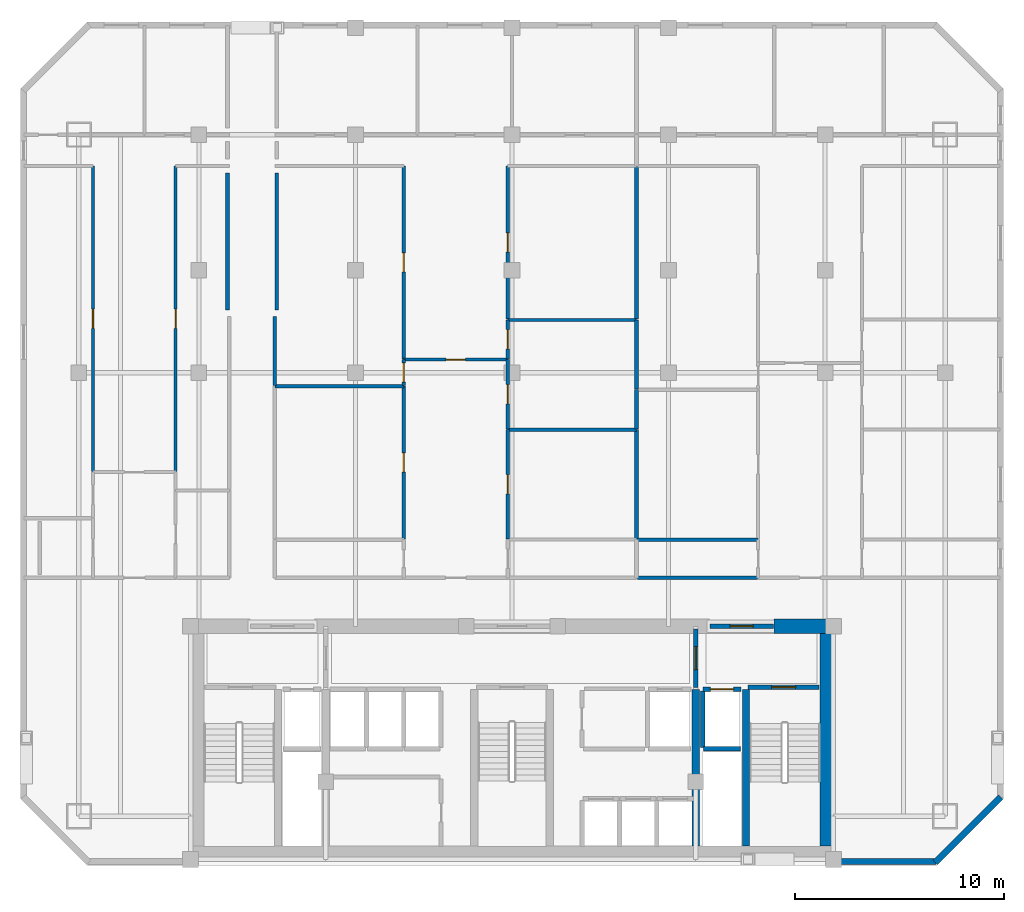
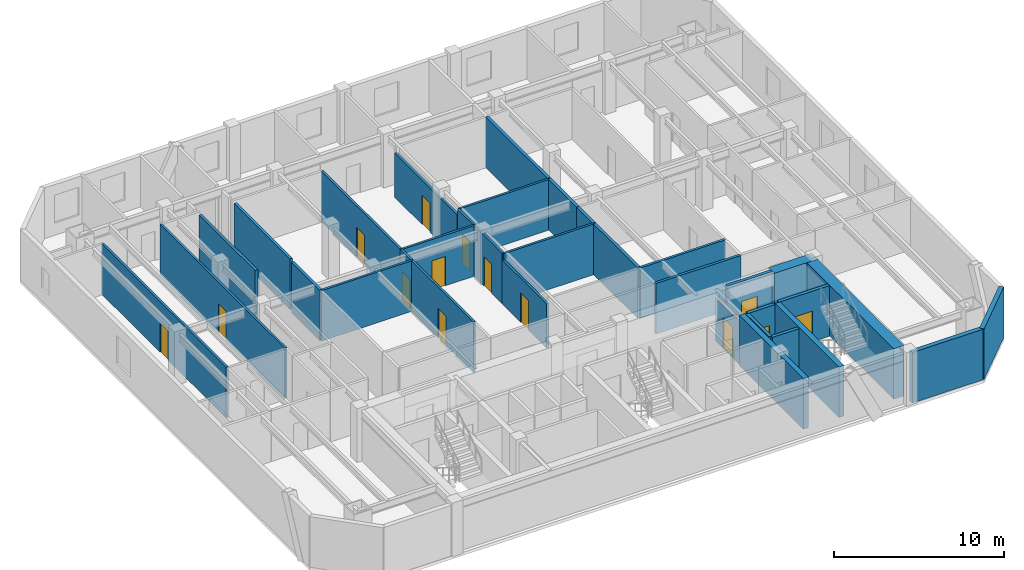
# One storey, part 4 of 8: 34 walls, 14 doors, 14 openings.
"""IFC4 building model written with IfcOpenShell, lengths in metres."""

from ifc_helpers import new_model, si_unit, direction, frame, frame_2d, origin, place, context, subcontext, project, spatial, rectangle, extrude, material, layer, layer_set, type_object, element, fill, save


model = new_model("IFC4")

# Units and contexts
model_context = context("Model", 3, precision=1e-05, world=origin(), true_north=direction((0.0, 1.0)))
body_context = subcontext(model_context, "Body", "Model", "MODEL_VIEW")
ifc_project = project(units=[si_unit("LENGTHUNIT", "METRE"), si_unit("AREAUNIT", "SQUARE_METRE"), si_unit("VOLUMEUNIT", "CUBIC_METRE"), si_unit("PLANEANGLEUNIT", "RADIAN"), si_unit("MASSUNIT", "GRAM", prefix="KILO")], contexts=[model_context])

# Site, building, storey
site_placement = place(None, origin())
site = spatial("IfcSite", under=ifc_project, at=site_placement, CompositionType="ELEMENT")
building_placement = place(site_placement, origin())
building = spatial("IfcBuilding", under=site, at=building_placement, Name="Ventersveld Concourse Tower", CompositionType="ELEMENT")
storey_placement = place(building_placement, frame((0.0, 0.0, 160.60009765625)))
storey = spatial("IfcBuildingStorey", under=building, at=storey_placement, Name="L39", CompositionType="ELEMENT", Elevation=160.60009765625)

# Walls
ifc_material_1 = material(Name="Concrete C60/75", Category="concrete")
ifc_layer_1 = layer(ifc_material_1, 0.35009765625)
ifc_layer_set_1 = layer_set([ifc_layer_1], Name="Concrete C60/75")
wall_type_1 = type_object("IfcWallType", Name="WL-CORE-350L", PredefinedType="SHEAR", material=ifc_layer_set_1)
for number, where, z_axis, x_axis, name in (
    (1, (37.550048828125, 0.919921875, 0.0), (0.0, 0.0, 1.0), (0.0, 1.0, 0.0), "L39 Core Internal Shear Web W-SVL-W"),
    (2, (39.9599609375, 0.919921875, 0.0), (0.0, 0.0, 1.0), (0.0, 1.0, 0.0), "L39 Core Internal Shear Web W-ST2-W"),
):
    element("IfcWall", number, at=place(storey_placement, frame(where, z_axis=z_axis, x_axis=x_axis)), inside=storey, type_object=wall_type_1, Name=name, PredefinedType="SHEAR", context=body_context, shape_type="SweptSolid", body=[
        extrude(rectangle(XDim=7.5, YDim=0.35009765625, at=frame_2d((3.75, 0.0))), origin(), (0.0, 0.0, 1.0), 3.6298828125),
    ])
ifc_layer_2 = layer(ifc_material_1, 0.699951171875)
ifc_layer_set_2 = layer_set([ifc_layer_2], Name="Concrete C60/75")
wall_type_2 = type_object("IfcWallType", Name="WL-CORE-700", PredefinedType="SHEAR", material=ifc_layer_set_2)
wall_1_placement = place(storey_placement, frame((43.85009765625, 0.919921875, 0.0), z_axis=(0.0, 0.0, 1.0), x_axis=(0.0, 1.0, 0.0)))
element("IfcWall", 3, at=wall_1_placement, inside=storey, type_object=wall_type_2, Name="L39 Rear Core East Shear Wall", PredefinedType="SHEAR", context=body_context, shape_type="SweptSolid", body=[
    extrude(rectangle(XDim=10.530029296875, YDim=0.699951171875, at=frame_2d((5.26513671875, 0.0))), origin(), (0.0, 0.0, 1.0), 3.6298828125),
])
wall_2_placement = place(storey_placement, frame((41.300048828125, 11.449951171875, 0.0), z_axis=(0.0, 0.0, 1.0), x_axis=(1.0, 0.0, 0.0)))
element("IfcWall", 4, at=wall_2_placement, inside=storey, type_object=wall_type_2, Name="L39 Rear Core North Shear Wall NE", PredefinedType="SHEAR", context=body_context, shape_type="SweptSolid", body=[
    extrude(rectangle(XDim=2.949951171875, YDim=0.699951171875, at=frame_2d((1.47509765625, 0.0))), origin(), (0.0, 0.0, 1.0), 3.6298828125),
])
ifc_material_2 = material(Name="Fire-rated autoclaved aerated masonry blockwork", Category="masonry")
ifc_layer_3 = layer(ifc_material_2, 0.179931640625)
ifc_layer_set_3 = layer_set([ifc_layer_3], Name="Fire-rated autoclaved aerated masonry blockwork")
wall_type_3 = type_object("IfcWallType", Name="WL-CORR-180", PredefinedType="PARTITIONING", material=ifc_layer_set_3)
wall_3_placement = place(storey_placement, frame((17.389892578125, 22.984619140625, 0.0), z_axis=(0.0, 0.0, 1.0), x_axis=(0.0, 1.0, 0.0)))
element("IfcWall", 5, at=wall_3_placement, inside=storey, type_object=wall_type_3, Name="L39 Interior Partition SP-L39-COR-SP-L39-39N1-DENL2", PredefinedType="PARTITIONING", context=body_context, shape_type="SweptSolid", body=[
    extrude(rectangle(XDim=3.310302734375, YDim=0.179931640625, at=frame_2d((1.6552734375, 0.0))), origin(), (0.0, 0.0, 1.0), 3.6298828125),
])
wall_4_placement = place(storey_placement, frame((34.7548828125, 13.77001953125, 0.0), z_axis=(0.0, 0.0, 1.0), x_axis=(1.0, 0.0, 0.0)))
element("IfcWall", 6, at=wall_4_placement, inside=storey, type_object=wall_type_3, Name="L39 Interior Partition SP-L39-COR-SP-L39-39N2-BATH", PredefinedType="PARTITIONING", context=body_context, shape_type="SweptSolid", body=[
    extrude(rectangle(XDim=5.746337890625, YDim=0.179931640625, at=frame_2d((2.873046875, 0.0))), origin(), (0.0, 0.0, 1.0), 3.6298828125),
])
for number, where, z_axis, x_axis, name in (
    (7, (15.1201171875, 33.175048828125, 0.0), (0.0, 0.0, 1.0), (0.0, -1.0, 0.0), "L39 Room Enclosure Wall SP-L39-39NW-DENR"),
    (8, (17.47998046875, 26.60986328125, 0.0), (0.0, 0.0, 1.0), (0.0, 1.0, 0.0), "L39 Room Enclosure Wall SP-L39-39N1-DENL2"),
):
    element("IfcWall", number, at=place(storey_placement, frame(where, z_axis=z_axis, x_axis=x_axis)), inside=storey, type_object=wall_type_3, Name=name, PredefinedType="PARTITIONING", context=body_context, shape_type="SweptSolid", body=[
        extrude(rectangle(XDim=6.565185546875, YDim=0.179931640625, at=frame_2d((3.28271484375, 0.0))), origin(), (0.0, 0.0, 1.0), 3.6298828125),
    ])
ifc_layer_4 = layer(ifc_material_2, 0.199951171875)
ifc_layer_set_4 = layer_set([ifc_layer_4], Name="Fire-rated autoclaved aerated masonry blockwork")
wall_type_4 = type_object("IfcWallType", Name="WL-DEMISE-200", PredefinedType="PARTITIONING", material=ifc_layer_set_4)
wall_5_placement = place(storey_placement, frame((34.719970703125, 15.635009765625, 0.0), z_axis=(0.0, 0.0, 1.0), x_axis=(0.0, 1.0, 0.0)))
element("IfcWall", 9, at=wall_5_placement, inside=storey, type_object=wall_type_4, Name="L39 Interior Partition SP-L39-39N1-DENR-SP-L39-39N2-DENL", PredefinedType="PARTITIONING", context=body_context, shape_type="SweptSolid", body=[
    extrude(rectangle(XDim=5.233642578125, YDim=0.199951171875, at=frame_2d((2.61669921875, 0.0))), origin(), (0.0, 0.0, 1.0), 3.6298828125),
])
wall_6_placement = place(storey_placement, frame((34.719970703125, 20.898681640625, 0.0), z_axis=(0.0, 0.0, 1.0), x_axis=(0.0, 1.0, 0.0)))
element("IfcWall", 10, at=wall_6_placement, inside=storey, type_object=wall_type_4, Name="L39 Interior Partition SP-L39-39N1-DENS-SP-L39-39N2-DENL", PredefinedType="PARTITIONING", context=body_context, shape_type="SweptSolid", body=[
    extrude(rectangle(XDim=1.88818359375, YDim=0.199951171875, at=frame_2d((0.944091796875, 0.0))), origin(), (0.0, 0.0, 1.0), 3.6298828125),
])
wall_7_placement = place(storey_placement, frame((34.719970703125, 22.81689453125, 0.0), z_axis=(0.0, 0.0, 1.0), x_axis=(0.0, 1.0, 0.0)))
element("IfcWall", 11, at=wall_7_placement, inside=storey, type_object=wall_type_4, Name="L39 Interior Partition SP-L39-39N1-DENS-SP-L39-39N2-DENL2", PredefinedType="PARTITIONING", context=body_context, shape_type="SweptSolid", body=[
    extrude(rectangle(XDim=3.3154296875, YDim=0.199951171875, at=frame_2d((1.65771484375, 0.0))), origin(), (0.0, 0.0, 1.0), 3.6298828125),
])
wall_8_placement = place(storey_placement, frame((34.719970703125, 26.162353515625, 0.0), z_axis=(0.0, 0.0, 1.0), x_axis=(0.0, 1.0, 0.0)))
element("IfcWall", 12, at=wall_8_placement, inside=storey, type_object=wall_type_4, Name="L39 Interior Partition SP-L39-39N1-DENS2-SP-L39-39N2-DENL2", PredefinedType="PARTITIONING", context=body_context, shape_type="SweptSolid", body=[
    extrude(rectangle(XDim=7.302734375, YDim=0.199951171875, at=frame_2d((3.6513671875, 0.0))), origin(), (0.0, 0.0, 1.0), 3.6298828125),
])
ifc_layer_5 = layer(ifc_material_2, 0.219970703125)
ifc_layer_set_5 = layer_set([ifc_layer_5], Name="Fire-rated autoclaved aerated masonry blockwork")
wall_type_5 = type_object("IfcWallType", Name="WL-HOIST-220", PredefinedType="SOLIDWALL", material=ifc_layer_set_5)
wall_9_placement = place(storey_placement, frame((37.919921875, 5.590087890625, 0.0), z_axis=(0.0, 0.0, 1.0), x_axis=(1.0, 0.0, 0.0)))
element("IfcWall", 13, at=wall_9_placement, inside=storey, type_object=wall_type_5, Name="L39 Lift Hoistway Back Wall FFL-02", PredefinedType="SOLIDWALL", context=body_context, shape_type="SweptSolid", body=[
    extrude(rectangle(XDim=1.780029296875, YDim=0.219970703125, at=frame_2d((0.89013671875, 0.0))), origin(), (0.0, 0.0, 1.0), 3.6298828125),
])
wall_10_placement = place(storey_placement, frame((37.8798828125, 5.64990234375, 0.0), z_axis=(0.0, 0.0, 1.0), x_axis=(0.0, 1.0, 0.0)))
element("IfcWall", 14, at=wall_10_placement, inside=storey, type_object=wall_type_5, Name="L39 Lift Hoistway Side Wall FFL-02W", PredefinedType="SOLIDWALL", context=body_context, shape_type="SweptSolid", body=[
    extrude(rectangle(XDim=2.7001953125, YDim=0.219970703125, at=frame_2d((1.35009765625, 0.0))), origin(), (0.0, 0.0, 1.0), 3.6298828125),
])

# Wall, opening, door
wall_11_placement = place(storey_placement, frame((37.89990234375, 8.429931640625, 0.0), z_axis=(0.0, 0.0, 1.0), x_axis=(1.0, 0.0, 0.0)))
wall_11 = element("IfcWall", 15, at=wall_11_placement, inside=storey, type_object=wall_type_5, Name="L39 Lift Hoistway Front Wall FFL-02", PredefinedType="SOLIDWALL", context=body_context, shape_type="SweptSolid", body=[
    extrude(rectangle(XDim=1.820068359375, YDim=0.219970703125, at=frame_2d((0.91015625, 0.0))), origin(), (0.0, 0.0, 1.0), 3.6298828125),
])
opening_1_placement = place(wall_11_placement, frame((0.35009765625, 0.0, 0.0)))
opening_1 = element("IfcOpeningElement", 16, at=opening_1_placement, cuts=wall_11, Name="Opening LD1", PredefinedType="OPENING", context=body_context, shape_type="SweptSolid", body=[
    extrude(rectangle(XDim=1.1201171875, YDim=2.25, at=frame_2d((0.56005859375, 1.125))), frame((0.0, 0.1201171875, 0.0), z_axis=(0.0, -1.0, 0.0), x_axis=(1.0, 0.0, 0.0)), (0.0, 0.0, 1.0), 0.239990234375),
])
ifc_material_3 = material(Name="Brushed stainless steel 316", Category="steel")
door_type_1 = type_object("IfcDoorType", Name="LD-FF-112", OperationType="SLIDING_TO_LEFT", PredefinedType="DOOR", material=ifc_material_3)
door_1_placement = place(opening_1_placement, origin())
door_1 = element("IfcDoor", 17, at=door_1_placement, inside=storey, type_object=door_type_1, Name="L39 Lift landing door FFL-02 (LD-L39-FFL-02)", OperationType="SLIDING_TO_RIGHT", OverallHeight=2.25, OverallWidth=1.1201171875, PredefinedType="DOOR", context=body_context, shape_type="SweptSolid", body=[
    extrude(rectangle(XDim=1.1201171875, YDim=2.25, at=frame_2d((0.56005859375, 1.125))), frame((0.0, 0.02490234375, 0.0), z_axis=(0.0, -1.0, 0.0), x_axis=(1.0, 0.0, 0.0)), (0.0, 0.0, 1.0), 0.050048828125),
])
fill(opening_1, door_1)

wall_12_placement = place(storey_placement, frame((40.06005859375, 8.52001953125, 0.0), z_axis=(0.0, 0.0, 1.0), x_axis=(1.0, 0.0, 0.0)))
wall_12 = element("IfcWall", 18, at=wall_12_placement, inside=storey, type_object=wall_type_5, Name="L39 Escape Stair ST02 Fire Wall", PredefinedType="SOLIDWALL", context=body_context, shape_type="SweptSolid", body=[
    extrude(rectangle(XDim=3.39990234375, YDim=0.219970703125, at=frame_2d((1.699951171875, 0.0))), origin(), (0.0, 0.0, 1.0), 3.6298828125),
])
opening_2_placement = place(wall_12_placement, frame((1.125, 0.0, 0.0)))
opening_2 = element("IfcOpeningElement", 19, at=opening_2_placement, cuts=wall_12, Name="Opening FD1", PredefinedType="OPENING", context=body_context, shape_type="SweptSolid", body=[
    extrude(rectangle(XDim=1.14990234375, YDim=2.199951171875, at=frame_2d((0.574951171875, 1.10009765625))), frame((0.0, 0.1201171875, 0.0), z_axis=(0.0, -1.0, 0.0), x_axis=(1.0, 0.0, 0.0)), (0.0, 0.0, 1.0), 0.239990234375),
])
ifc_material_4 = material(Name="Galvanised painted steel", Category="steel")
door_type_2 = type_object("IfcDoorType", Name="DR-STAIR-115", OperationType="NOTDEFINED", PredefinedType="DOOR", material=ifc_material_4)
door_2_placement = place(opening_2_placement, origin())
door_2 = element("IfcDoor", 20, at=door_2_placement, inside=storey, type_object=door_type_2, Name="L39 Escape Stair Door ST02 (SD-L39-1898)", OperationType="SINGLE_SWING_RIGHT", OverallHeight=2.199951171875, OverallWidth=1.14990234375, PredefinedType="DOOR", context=body_context, shape_type="SweptSolid", body=[
    extrude(rectangle(XDim=1.14990234375, YDim=2.199951171875, at=frame_2d((0.574951171875, 1.10009765625))), frame((0.0, 0.02490234375, 0.0), z_axis=(0.0, -1.0, 0.0), x_axis=(1.0, 0.0, 0.0)), (0.0, 0.0, 1.0), 0.050048828125),
])
fill(opening_2, door_2)

wall_13_placement = place(storey_placement, frame((37.550048828125, 8.52001953125, 0.0), z_axis=(0.0, 0.0, 1.0), x_axis=(0.0, 1.0, 0.0)))
wall_13 = element("IfcWall", 21, at=wall_13_placement, inside=storey, type_object=wall_type_5, Name="L39 Firefighting Lobby Smoke-Stop Wall FFLE-SEP", PredefinedType="SOLIDWALL", context=body_context, shape_type="SweptSolid", body=[
    extrude(rectangle(XDim=2.800048828125, YDim=0.219970703125, at=frame_2d((1.39990234375, 0.0))), origin(), (0.0, 0.0, 1.0), 3.08544921875),
])
opening_3_placement = place(wall_13_placement, frame((0.85009765625, 0.0, 0.0)))
opening_3 = element("IfcOpeningElement", 22, at=opening_3_placement, cuts=wall_13, Name="Opening FD2", PredefinedType="OPENING", context=body_context, shape_type="SweptSolid", body=[
    extrude(rectangle(XDim=1.10009765625, YDim=2.199951171875, at=frame_2d((0.550048828125, 1.10009765625))), frame((0.0, 0.1201171875, 0.0), z_axis=(0.0, -1.0, 0.0), x_axis=(1.0, 0.0, 0.0)), (0.0, 0.0, 1.0), 0.239990234375),
])
door_type_3 = type_object("IfcDoorType", Name="DR-FFL-110", OperationType="NOTDEFINED", PredefinedType="DOOR", material=ifc_material_4)
door_3_placement = place(opening_3_placement, origin())
door_3 = element("IfcDoor", 23, at=door_3_placement, inside=storey, type_object=door_type_3, Name="L39 Firefighting Lobby Door FFLE-SEP (FD-L39-1901)", OperationType="SINGLE_SWING_RIGHT", OverallHeight=2.199951171875, OverallWidth=1.10009765625, PredefinedType="DOOR", context=body_context, shape_type="SweptSolid", body=[
    extrude(rectangle(XDim=1.10009765625, YDim=2.199951171875, at=frame_2d((0.550048828125, 1.10009765625))), frame((0.0, 0.02490234375, 0.0), z_axis=(0.0, -1.0, 0.0), x_axis=(1.0, 0.0, 0.0)), (0.0, 0.0, 1.0), 0.050048828125),
])
fill(opening_3, door_3)

wall_14_placement = place(storey_placement, frame((38.22998046875, 11.449951171875, 0.0), z_axis=(0.0, 0.0, 1.0), x_axis=(1.0, 0.0, 0.0)))
wall_14 = element("IfcWall", 24, at=wall_14_placement, inside=storey, type_object=wall_type_5, Name="L39 Core North Fire Portal FFLE-OUT", PredefinedType="SOLIDWALL", context=body_context, shape_type="SweptSolid", body=[
    extrude(rectangle(XDim=3.0400390625, YDim=0.219970703125, at=frame_2d((1.52001953125, 0.0))), origin(), (0.0, 0.0, 1.0), 3.6298828125),
])
opening_4_placement = place(wall_14_placement, frame((0.969970703125, 0.0, 0.0)))
opening_4 = element("IfcOpeningElement", 25, at=opening_4_placement, cuts=wall_14, Name="Opening FD2", PredefinedType="OPENING", context=body_context, shape_type="SweptSolid", body=[
    extrude(rectangle(XDim=1.10009765625, YDim=2.199951171875, at=frame_2d((0.550048828125, 1.10009765625))), frame((0.0, 0.1201171875, 0.0), z_axis=(0.0, -1.0, 0.0), x_axis=(1.0, 0.0, 0.0)), (0.0, 0.0, 1.0), 0.239990234375),
])
door_4_placement = place(opening_4_placement, origin())
door_4 = element("IfcDoor", 26, at=door_4_placement, inside=storey, type_object=door_type_3, Name="L39 Core Lobby Fire Door FFLE-OUT (FD-L39-1904)", OperationType="SINGLE_SWING_LEFT", OverallHeight=2.199951171875, OverallWidth=1.10009765625, PredefinedType="DOOR", context=body_context, shape_type="SweptSolid", body=[
    extrude(rectangle(XDim=1.10009765625, YDim=2.199951171875, at=frame_2d((0.550048828125, 1.10009765625))), frame((0.0, 0.02490234375, 0.0), z_axis=(0.0, -1.0, 0.0), x_axis=(1.0, 0.0, 0.0)), (0.0, 0.0, 1.0), 0.050048828125),
])
fill(opening_4, door_4)

ifc_material_5 = material(Name="Autoclaved aerated masonry blockwork", Category="masonry")
ifc_layer_6 = layer(ifc_material_5, 0.14990234375)
ifc_layer_set_6 = layer_set([ifc_layer_6], Name="Autoclaved aerated masonry blockwork")
wall_type_6 = type_object("IfcWallType", Name="WL-INT-150", PredefinedType="PARTITIONING", material=ifc_layer_set_6)
wall_15_placement = place(storey_placement, frame((8.677490234375, 18.868408203125, 0.0), z_axis=(0.0, 0.0, 1.0), x_axis=(0.0, 1.0, 0.0)))
wall_15 = element("IfcWall", 27, at=wall_15_placement, inside=storey, type_object=wall_type_6, Name="L39 Interior Partition SP-L39-39NW-LIV-SP-L39-39NW-OFFL0", PredefinedType="PARTITIONING", context=body_context, shape_type="SweptSolid", body=[
    extrude(rectangle(XDim=14.636474609375, YDim=0.14990234375, at=frame_2d((7.318359375, 0.0))), origin(), (0.0, 0.0, 1.0), 3.6298828125),
])
opening_5_placement = place(wall_15_placement, frame((6.8583984375, 0.0, 0.0)))
opening_5 = element("IfcOpeningElement", 28, at=opening_5_placement, cuts=wall_15, Name="Opening ID1", PredefinedType="OPENING", context=body_context, shape_type="SweptSolid", body=[
    extrude(rectangle(XDim=0.919921875, YDim=2.10009765625, at=frame_2d((0.4599609375, 1.050048828125))), frame((0.0, 0.0849609375, 0.0), z_axis=(0.0, -1.0, 0.0), x_axis=(1.0, 0.0, 0.0)), (0.0, 0.0, 1.0), 0.169921875),
])
ifc_material_6 = material(Name="Solid-core hardwood veneer timber", Category="wood")
door_type_4 = type_object("IfcDoorType", Name="DR-ROOM-092", OperationType="NOTDEFINED", PredefinedType="DOOR", material=ifc_material_6)
door_5_placement = place(opening_5_placement, origin())
door_5 = element("IfcDoor", 29, at=door_5_placement, inside=storey, type_object=door_type_4, Name="L39 Interior Door SP-L39-39NW-LIV to SP-L39-39NW-OFFL0 (D-L39-1914)", OperationType="SINGLE_SWING_RIGHT", OverallHeight=2.10009765625, OverallWidth=0.919921875, PredefinedType="DOOR", context=body_context, shape_type="SweptSolid", body=[
    extrude(rectangle(XDim=0.919921875, YDim=2.10009765625, at=frame_2d((0.4599609375, 1.050048828125))), frame((0.0, 0.02490234375, 0.0), z_axis=(0.0, -1.0, 0.0), x_axis=(1.0, 0.0, 0.0)), (0.0, 0.0, 1.0), 0.050048828125),
])
fill(opening_5, door_5)

wall_16_placement = place(storey_placement, frame((12.637451171875, 18.868408203125, 0.0), z_axis=(0.0, 0.0, 1.0), x_axis=(0.0, 1.0, 0.0)))
wall_16 = element("IfcWall", 30, at=wall_16_placement, inside=storey, type_object=wall_type_6, Name="L39 Interior Partition SP-L39-39NW-LIV-SP-L39-39NW-DENR", PredefinedType="PARTITIONING", context=body_context, shape_type="SweptSolid", body=[
    extrude(rectangle(XDim=14.636474609375, YDim=0.14990234375, at=frame_2d((7.318359375, 0.0))), origin(), (0.0, 0.0, 1.0), 3.6298828125),
])
opening_6_placement = place(wall_16_placement, frame((6.8583984375, 0.0, 0.0)))
opening_6 = element("IfcOpeningElement", 31, at=opening_6_placement, cuts=wall_16, Name="Opening ID1", PredefinedType="OPENING", context=body_context, shape_type="SweptSolid", body=[
    extrude(rectangle(XDim=0.919921875, YDim=2.10009765625, at=frame_2d((0.4599609375, 1.050048828125))), frame((0.0, 0.0849609375, 0.0), z_axis=(0.0, -1.0, 0.0), x_axis=(1.0, 0.0, 0.0)), (0.0, 0.0, 1.0), 0.169921875),
])
door_6_placement = place(opening_6_placement, origin())
door_6 = element("IfcDoor", 32, at=door_6_placement, inside=storey, type_object=door_type_4, Name="L39 Interior Door SP-L39-39NW-LIV to SP-L39-39NW-DENR (D-L39-1915)", OperationType="SINGLE_SWING_LEFT", OverallHeight=2.10009765625, OverallWidth=0.919921875, PredefinedType="DOOR", context=body_context, shape_type="SweptSolid", body=[
    extrude(rectangle(XDim=0.919921875, YDim=2.10009765625, at=frame_2d((0.4599609375, 1.050048828125))), frame((0.0, 0.02490234375, 0.0), z_axis=(0.0, -1.0, 0.0), x_axis=(1.0, 0.0, 0.0)), (0.0, 0.0, 1.0), 0.050048828125),
])
fill(opening_6, door_6)

wall_17_placement = place(storey_placement, frame((23.56005859375, 24.2294921875, 0.0), z_axis=(0.0, 0.0, 1.0), x_axis=(1.0, 0.0, 0.0)))
wall_17 = element("IfcWall", 33, at=wall_17_placement, inside=storey, type_object=wall_type_6, Name="L39 Interior Partition SP-L39-39N1-FOY-SP-L39-39N1-LIV", PredefinedType="PARTITIONING", context=body_context, shape_type="SweptSolid", body=[
    extrude(rectangle(XDim=4.989990234375, YDim=0.14990234375, at=frame_2d((2.4951171875, 0.0))), origin(), (0.0, 0.0, 1.0), 3.6298828125),
])
opening_7_placement = place(wall_17_placement, frame((2.034912109375, 0.0, 0.0)))
opening_7 = element("IfcOpeningElement", 34, at=opening_7_placement, cuts=wall_17, Name="Opening ID1", PredefinedType="OPENING", context=body_context, shape_type="SweptSolid", body=[
    extrude(rectangle(XDim=0.919921875, YDim=2.10009765625, at=frame_2d((0.4599609375, 1.050048828125))), frame((0.0, 0.0849609375, 0.0), z_axis=(0.0, -1.0, 0.0), x_axis=(1.0, 0.0, 0.0)), (0.0, 0.0, 1.0), 0.169921875),
])
door_7_placement = place(opening_7_placement, origin())
door_7 = element("IfcDoor", 35, at=door_7_placement, inside=storey, type_object=door_type_4, Name="L39 Interior Door SP-L39-39N1-FOY to SP-L39-39N1-LIV (D-L39-1918)", OperationType="SINGLE_SWING_RIGHT", OverallHeight=2.10009765625, OverallWidth=0.919921875, PredefinedType="DOOR", context=body_context, shape_type="SweptSolid", body=[
    extrude(rectangle(XDim=0.919921875, YDim=2.10009765625, at=frame_2d((0.4599609375, 1.050048828125))), frame((0.0, 0.02490234375, 0.0), z_axis=(0.0, -1.0, 0.0), x_axis=(1.0, 0.0, 0.0)), (0.0, 0.0, 1.0), 0.050048828125),
])
fill(opening_7, door_7)

wall_18_placement = place(storey_placement, frame((23.56494140625, 15.635009765625, 0.0), z_axis=(0.0, 0.0, 1.0), x_axis=(0.0, 1.0, 0.0)))
wall_18 = element("IfcWall", 36, at=wall_18_placement, inside=storey, type_object=wall_type_6, Name="L39 Interior Partition SP-L39-39N1-FOY-SP-L39-39N1-OFFL0", PredefinedType="PARTITIONING", context=body_context, shape_type="SweptSolid", body=[
    extrude(rectangle(XDim=7.319580078125, YDim=0.14990234375, at=frame_2d((3.65966796875, 0.0))), origin(), (0.0, 0.0, 1.0), 3.6298828125),
])
opening_8_placement = place(wall_18_placement, frame((3.19970703125, 0.0, 0.0)))
opening_8 = element("IfcOpeningElement", 37, at=opening_8_placement, cuts=wall_18, Name="Opening ID1", PredefinedType="OPENING", context=body_context, shape_type="SweptSolid", body=[
    extrude(rectangle(XDim=0.919921875, YDim=2.10009765625, at=frame_2d((0.4599609375, 1.050048828125))), frame((0.0, 0.0849609375, 0.0), z_axis=(0.0, -1.0, 0.0), x_axis=(1.0, 0.0, 0.0)), (0.0, 0.0, 1.0), 0.169921875),
])
door_8_placement = place(opening_8_placement, origin())
door_8 = element("IfcDoor", 38, at=door_8_placement, inside=storey, type_object=door_type_4, Name="L39 Interior Door SP-L39-39N1-FOY to SP-L39-39N1-OFFL0 (D-L39-1920)", OperationType="SINGLE_SWING_RIGHT", OverallHeight=2.10009765625, OverallWidth=0.919921875, PredefinedType="DOOR", context=body_context, shape_type="SweptSolid", body=[
    extrude(rectangle(XDim=0.919921875, YDim=2.10009765625, at=frame_2d((0.4599609375, 1.050048828125))), frame((0.0, 0.02490234375, 0.0), z_axis=(0.0, -1.0, 0.0), x_axis=(1.0, 0.0, 0.0)), (0.0, 0.0, 1.0), 0.050048828125),
])
fill(opening_8, door_8)

wall_19_placement = place(storey_placement, frame((23.56494140625, 22.984619140625, 0.0), z_axis=(0.0, 0.0, 1.0), x_axis=(0.0, 1.0, 0.0)))
wall_19 = element("IfcWall", 39, at=wall_19_placement, inside=storey, type_object=wall_type_6, Name="L39 Interior Partition SP-L39-39N1-FOY-SP-L39-39N1-DENL2", PredefinedType="PARTITIONING", context=body_context, shape_type="SweptSolid", body=[
    extrude(rectangle(XDim=1.25, YDim=0.14990234375, at=frame_2d((0.625, 0.0))), origin(), (0.0, 0.0, 1.0), 3.6298828125),
])
opening_9_placement = place(wall_19_placement, frame((0.1650390625, 0.0, 0.0)))
opening_9 = element("IfcOpeningElement", 40, at=opening_9_placement, cuts=wall_19, Name="Opening ID1", PredefinedType="OPENING", context=body_context, shape_type="SweptSolid", body=[
    extrude(rectangle(XDim=0.919921875, YDim=2.10009765625, at=frame_2d((0.4599609375, 1.050048828125))), frame((0.0, 0.0849609375, 0.0), z_axis=(0.0, -1.0, 0.0), x_axis=(1.0, 0.0, 0.0)), (0.0, 0.0, 1.0), 0.169921875),
])
door_9_placement = place(opening_9_placement, origin())
door_9 = element("IfcDoor", 41, at=door_9_placement, inside=storey, type_object=door_type_4, Name="L39 Interior Door SP-L39-39N1-FOY to SP-L39-39N1-DENL2 (D-L39-1921)", OperationType="SINGLE_SWING_LEFT", OverallHeight=2.10009765625, OverallWidth=0.919921875, PredefinedType="DOOR", context=body_context, shape_type="SweptSolid", body=[
    extrude(rectangle(XDim=0.919921875, YDim=2.10009765625, at=frame_2d((0.4599609375, 1.050048828125))), frame((0.0, 0.02490234375, 0.0), z_axis=(0.0, -1.0, 0.0), x_axis=(1.0, 0.0, 0.0)), (0.0, 0.0, 1.0), 0.050048828125),
])
fill(opening_9, door_9)

wall_20_placement = place(storey_placement, frame((28.544921875, 15.635009765625, 0.0), z_axis=(0.0, 0.0, 1.0), x_axis=(0.0, 1.0, 0.0)))
wall_20 = element("IfcWall", 42, at=wall_20_placement, inside=storey, type_object=wall_type_6, Name="L39 Interior Partition SP-L39-39N1-FOY-SP-L39-39N1-DENR", PredefinedType="PARTITIONING", context=body_context, shape_type="SweptSolid", body=[
    extrude(rectangle(XDim=5.233642578125, YDim=0.14990234375, at=frame_2d((2.61669921875, 0.0))), origin(), (0.0, 0.0, 1.0), 3.176513671875),
])
opening_10_placement = place(wall_20_placement, frame((2.156982421875, 0.0, 0.0)))
opening_10 = element("IfcOpeningElement", 43, at=opening_10_placement, cuts=wall_20, Name="Opening ID1", PredefinedType="OPENING", context=body_context, shape_type="SweptSolid", body=[
    extrude(rectangle(XDim=0.919921875, YDim=2.10009765625, at=frame_2d((0.4599609375, 1.050048828125))), frame((0.0, 0.0849609375, 0.0), z_axis=(0.0, -1.0, 0.0), x_axis=(1.0, 0.0, 0.0)), (0.0, 0.0, 1.0), 0.169921875),
])
door_10_placement = place(opening_10_placement, origin())
door_10 = element("IfcDoor", 44, at=door_10_placement, inside=storey, type_object=door_type_4, Name="L39 Interior Door SP-L39-39N1-FOY to SP-L39-39N1-DENR (D-L39-1923)", OperationType="SINGLE_SWING_LEFT", OverallHeight=2.10009765625, OverallWidth=0.919921875, PredefinedType="DOOR", context=body_context, shape_type="SweptSolid", body=[
    extrude(rectangle(XDim=0.919921875, YDim=2.10009765625, at=frame_2d((0.4599609375, 1.050048828125))), frame((0.0, 0.02490234375, 0.0), z_axis=(0.0, -1.0, 0.0), x_axis=(1.0, 0.0, 0.0)), (0.0, 0.0, 1.0), 0.050048828125),
])
fill(opening_10, door_10)

wall_21_placement = place(storey_placement, frame((28.544921875, 20.898681640625, 0.0), z_axis=(0.0, 0.0, 1.0), x_axis=(0.0, 1.0, 0.0)))
wall_21 = element("IfcWall", 45, at=wall_21_placement, inside=storey, type_object=wall_type_6, Name="L39 Interior Partition SP-L39-39N1-FOY-SP-L39-39N1-DENS", PredefinedType="PARTITIONING", context=body_context, shape_type="SweptSolid", body=[
    extrude(rectangle(XDim=3.3359375, YDim=0.14990234375, at=frame_2d((1.66796875, 0.0))), origin(), (0.0, 0.0, 1.0), 3.6298828125),
])
opening_11_placement = place(wall_21_placement, frame((1.2080078125, 0.0, 0.0)))
opening_11 = element("IfcOpeningElement", 46, at=opening_11_placement, cuts=wall_21, Name="Opening ID1", PredefinedType="OPENING", context=body_context, shape_type="SweptSolid", body=[
    extrude(rectangle(XDim=0.919921875, YDim=2.10009765625, at=frame_2d((0.4599609375, 1.050048828125))), frame((0.0, 0.0849609375, 0.0), z_axis=(0.0, -1.0, 0.0), x_axis=(1.0, 0.0, 0.0)), (0.0, 0.0, 1.0), 0.169921875),
])
door_11_placement = place(opening_11_placement, origin())
door_11 = element("IfcDoor", 47, at=door_11_placement, inside=storey, type_object=door_type_4, Name="L39 Interior Door SP-L39-39N1-FOY to SP-L39-39N1-DENS (D-L39-1924)", OperationType="SINGLE_SWING_RIGHT", OverallHeight=2.10009765625, OverallWidth=0.919921875, PredefinedType="DOOR", context=body_context, shape_type="SweptSolid", body=[
    extrude(rectangle(XDim=0.919921875, YDim=2.10009765625, at=frame_2d((0.4599609375, 1.050048828125))), frame((0.0, 0.02490234375, 0.0), z_axis=(0.0, -1.0, 0.0), x_axis=(1.0, 0.0, 0.0)), (0.0, 0.0, 1.0), 0.050048828125),
])
fill(opening_11, door_11)

wall_22_placement = place(storey_placement, frame((23.56494140625, 24.2646484375, 0.0), z_axis=(0.0, 0.0, 1.0), x_axis=(0.0, 1.0, 0.0)))
wall_22 = element("IfcWall", 48, at=wall_22_placement, inside=storey, type_object=wall_type_6, Name="L39 Interior Partition SP-L39-39N1-LIV-SP-L39-39N1-DENL2", PredefinedType="PARTITIONING", context=body_context, shape_type="SweptSolid", body=[
    extrude(rectangle(XDim=9.240234375, YDim=0.14990234375, at=frame_2d((4.6201171875, 0.0))), origin(), (0.0, 0.0, 1.0), 3.6298828125),
])
opening_12_placement = place(wall_22_placement, frame((4.16015625, 0.0, 0.0)))
opening_12 = element("IfcOpeningElement", 49, at=opening_12_placement, cuts=wall_22, Name="Opening ID1", PredefinedType="OPENING", context=body_context, shape_type="SweptSolid", body=[
    extrude(rectangle(XDim=0.919921875, YDim=2.10009765625, at=frame_2d((0.4599609375, 1.050048828125))), frame((0.0, 0.0849609375, 0.0), z_axis=(0.0, -1.0, 0.0), x_axis=(1.0, 0.0, 0.0)), (0.0, 0.0, 1.0), 0.169921875),
])
door_12_placement = place(opening_12_placement, origin())
door_12 = element("IfcDoor", 50, at=door_12_placement, inside=storey, type_object=door_type_4, Name="L39 Interior Door SP-L39-39N1-LIV to SP-L39-39N1-DENL2 (D-L39-1925)", OperationType="SINGLE_SWING_LEFT", OverallHeight=2.10009765625, OverallWidth=0.919921875, PredefinedType="DOOR", context=body_context, shape_type="SweptSolid", body=[
    extrude(rectangle(XDim=0.919921875, YDim=2.10009765625, at=frame_2d((0.4599609375, 1.050048828125))), frame((0.0, 0.02490234375, 0.0), z_axis=(0.0, -1.0, 0.0), x_axis=(1.0, 0.0, 0.0)), (0.0, 0.0, 1.0), 0.050048828125),
])
fill(opening_12, door_12)

wall_23_placement = place(storey_placement, frame((28.544921875, 24.2646484375, 0.0), z_axis=(0.0, 0.0, 1.0), x_axis=(0.0, 1.0, 0.0)))
wall_23 = element("IfcWall", 51, at=wall_23_placement, inside=storey, type_object=wall_type_6, Name="L39 Interior Partition SP-L39-39N1-LIV-SP-L39-39N1-DENS", PredefinedType="PARTITIONING", context=body_context, shape_type="SweptSolid", body=[
    extrude(rectangle(XDim=1.86767578125, YDim=0.14990234375, at=frame_2d((0.933837890625, 0.0))), origin(), (0.0, 0.0, 1.0), 3.6298828125),
])
opening_13_placement = place(wall_23_placement, frame((0.473876953125, 0.0, 0.0)))
opening_13 = element("IfcOpeningElement", 52, at=opening_13_placement, cuts=wall_23, Name="Opening ID1", PredefinedType="OPENING", context=body_context, shape_type="SweptSolid", body=[
    extrude(rectangle(XDim=0.919921875, YDim=2.10009765625, at=frame_2d((0.4599609375, 1.050048828125))), frame((0.0, 0.0849609375, 0.0), z_axis=(0.0, -1.0, 0.0), x_axis=(1.0, 0.0, 0.0)), (0.0, 0.0, 1.0), 0.169921875),
])
door_13_placement = place(opening_13_placement, origin())
door_13 = element("IfcDoor", 53, at=door_13_placement, inside=storey, type_object=door_type_4, Name="L39 Interior Door SP-L39-39N1-LIV to SP-L39-39N1-DENS (D-L39-1926)", OperationType="SINGLE_SWING_RIGHT", OverallHeight=2.10009765625, OverallWidth=0.919921875, PredefinedType="DOOR", context=body_context, shape_type="SweptSolid", body=[
    extrude(rectangle(XDim=0.919921875, YDim=2.10009765625, at=frame_2d((0.4599609375, 1.050048828125))), frame((0.0, 0.02490234375, 0.0), z_axis=(0.0, -1.0, 0.0), x_axis=(1.0, 0.0, 0.0)), (0.0, 0.0, 1.0), 0.050048828125),
])
fill(opening_13, door_13)

wall_24_placement = place(storey_placement, frame((28.544921875, 26.162353515625, 0.0), z_axis=(0.0, 0.0, 1.0), x_axis=(0.0, 1.0, 0.0)))
wall_24 = element("IfcWall", 54, at=wall_24_placement, inside=storey, type_object=wall_type_6, Name="L39 Interior Partition SP-L39-39N1-LIV-SP-L39-39N1-DENS2", PredefinedType="PARTITIONING", context=body_context, shape_type="SweptSolid", body=[
    extrude(rectangle(XDim=7.342529296875, YDim=0.14990234375, at=frame_2d((3.67138671875, 0.0))), origin(), (0.0, 0.0, 1.0), 3.176513671875),
])
opening_14_placement = place(wall_24_placement, frame((3.211181640625, 0.0, 0.0)))
opening_14 = element("IfcOpeningElement", 55, at=opening_14_placement, cuts=wall_24, Name="Opening ID1", PredefinedType="OPENING", context=body_context, shape_type="SweptSolid", body=[
    extrude(rectangle(XDim=0.919921875, YDim=2.10009765625, at=frame_2d((0.4599609375, 1.050048828125))), frame((0.0, 0.0849609375, 0.0), z_axis=(0.0, -1.0, 0.0), x_axis=(1.0, 0.0, 0.0)), (0.0, 0.0, 1.0), 0.169921875),
])
door_14_placement = place(opening_14_placement, origin())
door_14 = element("IfcDoor", 56, at=door_14_placement, inside=storey, type_object=door_type_4, Name="L39 Interior Door SP-L39-39N1-LIV to SP-L39-39N1-DENS2 (D-L39-1927)", OperationType="SINGLE_SWING_LEFT", OverallHeight=2.10009765625, OverallWidth=0.919921875, PredefinedType="DOOR", context=body_context, shape_type="SweptSolid", body=[
    extrude(rectangle(XDim=0.919921875, YDim=2.10009765625, at=frame_2d((0.4599609375, 1.050048828125))), frame((0.0, 0.02490234375, 0.0), z_axis=(0.0, -1.0, 0.0), x_axis=(1.0, 0.0, 0.0)), (0.0, 0.0, 1.0), 0.050048828125),
])
fill(opening_14, door_14)

# Walls
for number, where, z_axis, x_axis, name in (
    (57, (17.385009765625, 22.94970703125, 0.0), (0.0, 0.0, 1.0), (1.0, 0.0, 0.0), "L39 Interior Partition SP-L39-39N1-OFFL0-SP-L39-39N1-DENL2"),
    (58, (28.5400390625, 20.86376953125, 0.0), (0.0, 0.0, 1.0), (1.0, 0.0, 0.0), "L39 Interior Partition SP-L39-39N1-DENR-SP-L39-39N1-DENS"),
    (59, (28.5400390625, 26.12744140625, 0.0), (0.0, 0.0, 1.0), (1.0, 0.0, 0.0), "L39 Interior Partition SP-L39-39N1-DENS-SP-L39-39N1-DENS2"),
):
    element("IfcWall", number, at=place(storey_placement, frame(where, z_axis=z_axis, x_axis=x_axis)), inside=storey, type_object=wall_type_6, Name=name, PredefinedType="PARTITIONING", context=body_context, shape_type="SweptSolid", body=[
        extrude(rectangle(XDim=6.18505859375, YDim=0.14990234375, at=frame_2d((3.092529296875, 0.0))), origin(), (0.0, 0.0, 1.0), 3.6298828125),
    ])
ifc_material_7 = material(Name="Precast concrete C45/55", Category="concrete")
ifc_layer_7 = layer(ifc_material_7, 0.300048828125)
ifc_layer_set_7 = layer_set([ifc_layer_7], Name="Precast concrete C45/55")
wall_type_7 = type_object("IfcWallType", Name="WL-PREC-300", PredefinedType="SOLIDWALL", material=ifc_layer_set_7)
wall_25_placement = place(storey_placement, frame((44.25, 0.179931640625, 0.0), z_axis=(0.0, 0.0, 1.0), x_axis=(1.0, 0.0, 0.0)))
element("IfcWall", 60, at=wall_25_placement, inside=storey, type_object=wall_type_7, Name="L39 South-East Flank Precast Wall", PredefinedType="SOLIDWALL", context=body_context, shape_type="SweptSolid", body=[
    extrude(rectangle(XDim=4.81005859375, YDim=0.300048828125, at=frame_2d((2.405029296875, 0.0))), origin(), (0.0, 0.0, 1.0), 3.6298828125),
])
wall_26_placement = place(storey_placement, frame((49.022216796875, 0.134521484375, 0.0), z_axis=(0.0, 0.0, 1.0), x_axis=(0.707106781187, 0.707106781187, 0.0)))
element("IfcWall", 61, at=wall_26_placement, inside=storey, type_object=wall_type_7, Name="L39 Highveld Precast Facade Wall E02", PredefinedType="SOLIDWALL", context=body_context, shape_type="SweptSolid", body=[
    extrude(rectangle(XDim=4.4453125, YDim=0.300048828125, at=frame_2d((2.22265625, 0.0))), origin(), (0.0, 0.0, 1.0), 3.6298828125),
])
ifc_layer_8 = layer(ifc_material_5, 0.1650390625)
ifc_layer_set_8 = layer_set([ifc_layer_8], Name="Autoclaved aerated masonry blockwork")
wall_type_8 = type_object("IfcWallType", Name="WL-WET-165", PredefinedType="PLUMBINGWALL", material=ifc_layer_set_8)
wall_27_placement = place(storey_placement, frame((34.7548828125, 15.60009765625, 0.0), z_axis=(0.0, 0.0, 1.0), x_axis=(1.0, 0.0, 0.0)))
element("IfcWall", 62, at=wall_27_placement, inside=storey, type_object=wall_type_8, Name="L39 Interior Partition SP-L39-39N2-BATH-SP-L39-39N2-DENL", PredefinedType="PLUMBINGWALL", context=body_context, shape_type="SweptSolid", body=[
    extrude(rectangle(XDim=5.7861328125, YDim=0.1650390625, at=frame_2d((2.89306640625, 0.0))), origin(), (0.0, 0.0, 1.0), 3.6298828125),
])

save(model, "model.ifc")
